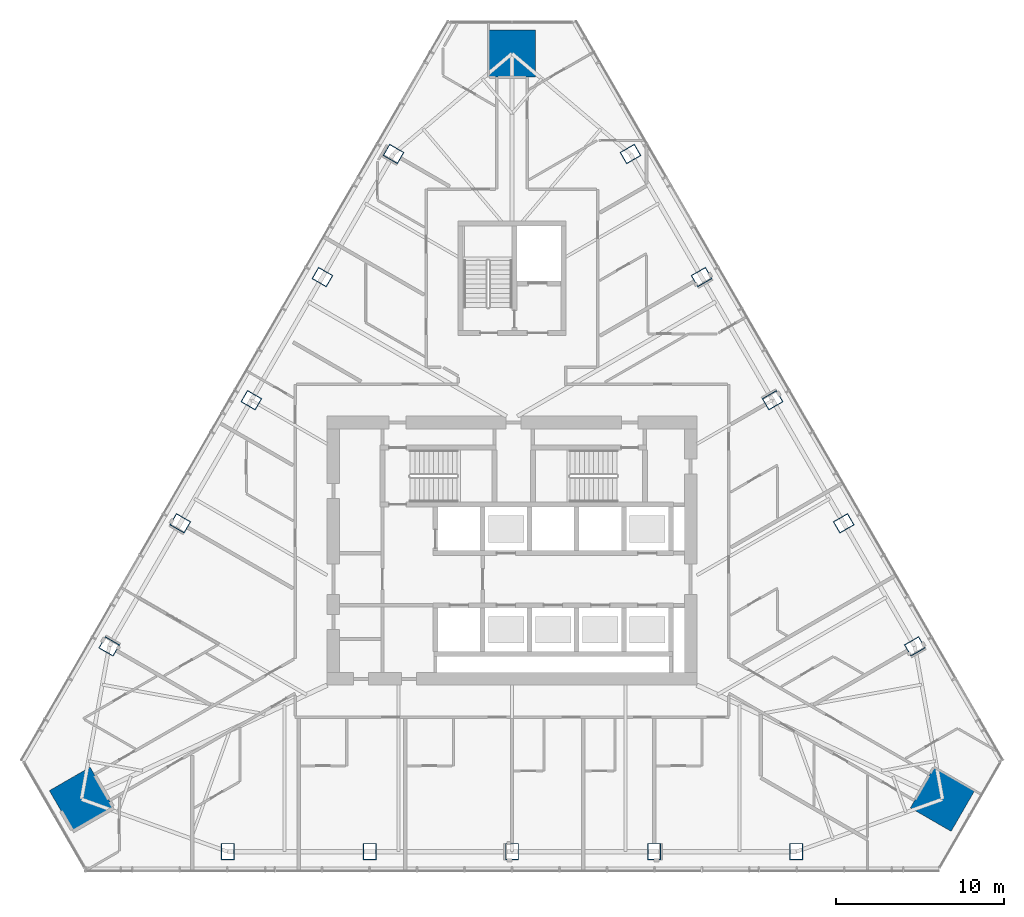
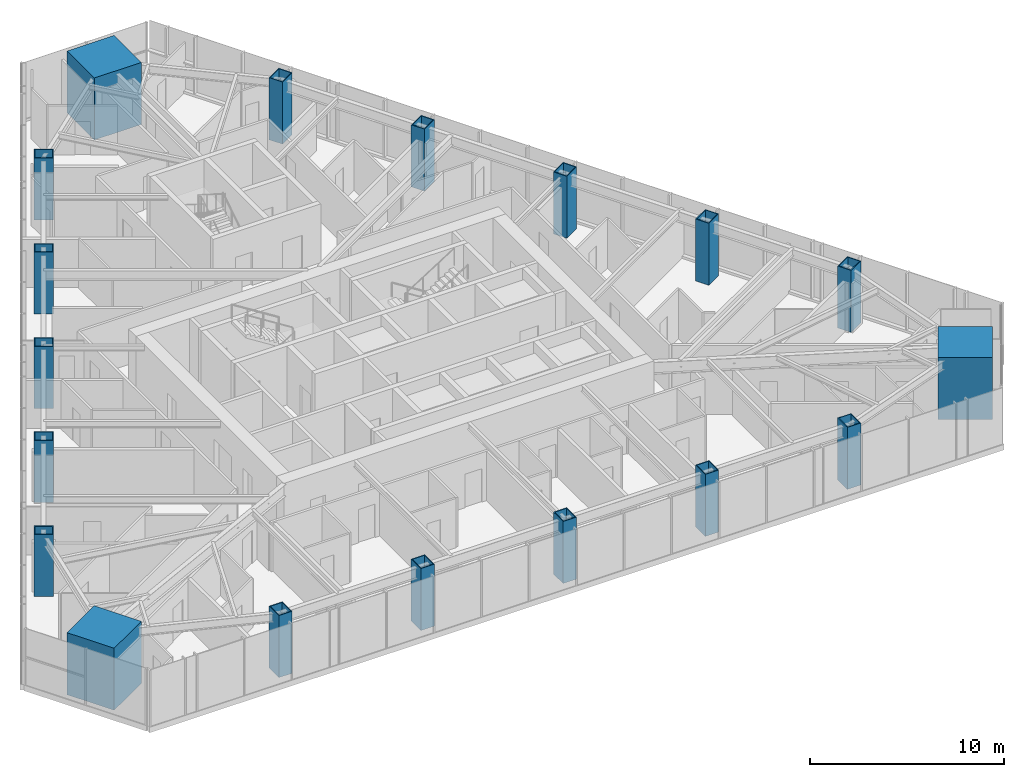
# One storey, part 1 of 20: 18 columns.
"""IFC4 building model written with IfcOpenShell, lengths in metres."""

from ifc_helpers import new_model, si_unit, direction, frame, origin, origin_2d, place, context, subcontext, project, spatial, rectangle, hollow_rectangle, extrude, material, material_profile, profile_set, type_object, element, save


model = new_model("IFC4")

# Units and contexts
model_context = context("Model", 3, precision=1e-05, world=origin(), true_north=direction((0.0, 1.0)))
body_context = subcontext(model_context, "Body", "Model", "MODEL_VIEW")
ifc_project = project(units=[si_unit("LENGTHUNIT", "METRE"), si_unit("AREAUNIT", "SQUARE_METRE"), si_unit("VOLUMEUNIT", "CUBIC_METRE"), si_unit("PLANEANGLEUNIT", "RADIAN"), si_unit("MASSUNIT", "GRAM", prefix="KILO")], contexts=[model_context])

# Site, building, storey
site_placement = place(None, origin())
site = spatial("IfcSite", under=ifc_project, at=site_placement, CompositionType="ELEMENT")
building_placement = place(site_placement, origin())
building = spatial("IfcBuilding", under=site, at=building_placement, Name="Firuza Gate Tower and Library", CompositionType="ELEMENT")
storey_placement = place(building_placement, frame((0.0, 0.0, 214.300048828125)))
storey = spatial("IfcBuildingStorey", under=building, at=storey_placement, Name="L50", CompositionType="ELEMENT", Elevation=214.300048828125)

# Columns
ifc_material_1 = material(Name="Steel S355", Category="steel")
ifc_material_profile_1 = material_profile(ifc_material_1, hollow_rectangle(XDim=0.800048828125, YDim=1.0, WallThickness=0.050048828125, at=origin_2d()))
ifc_profile_set_1 = profile_set([ifc_material_profile_1], Name="Steel S355")
column_type_1 = type_object("IfcColumnType", Name="BU1000x800x50 Composite box column", PredefinedType="COLUMN", material=ifc_profile_set_1)
for number, where, z_axis, x_axis, name in (
    (1, (58.088623046875, 57.097412109375, -0.00048828125), (0.0, 0.0, 1.0), (1.0, 0.0, 0.0), "Column S1 L50"),
    (2, (66.54443359375, 57.097412109375, -0.00048828125), (0.0, 0.0, 1.0), (1.0, 0.0, 0.0), "Column S2 L50"),
    (3, (75.0, 57.097412109375, -0.00048828125), (0.0, 0.0, 1.0), (1.0, 0.0, 0.0), "Column S3 L50"),
    (4, (83.45556640625, 57.097412109375, -0.00048828125), (0.0, 0.0, 1.0), (1.0, 0.0, 0.0), "Column S4 L50"),
    (5, (91.911376953125, 57.097412109375, -0.00048828125), (0.0, 0.0, 1.0), (1.0, 0.0, 0.0), "Column S5 L50"),
    (6, (98.959716796875, 69.3056640625, -0.00048828125), (0.0, 0.0, 1.0), (-0.5, 0.866025403784, 0.0), "Column E1 L50"),
    (7, (94.73193359375, 76.62841796875, -0.00048828125), (0.0, 0.0, 1.0), (-0.5, 0.866025403784, 0.0), "Column E2 L50"),
    (8, (90.504150390625, 83.951171875, -0.00048828125), (0.0, 0.0, 1.0), (-0.5, 0.866025403784, 0.0), "Column E3 L50"),
    (9, (86.276123046875, 91.274169921875, -0.00048828125), (0.0, 0.0, 1.0), (-0.5, 0.866025403784, 0.0), "Column E4 L50"),
    (10, (82.04833984375, 98.596923828125, -0.00048828125), (0.0, 0.0, 1.0), (-0.5, 0.866025403784, 0.0), "Column E5 L50"),
    (11, (67.95166015625, 98.596923828125, -0.00048828125), (0.0, 0.0, 1.0), (-0.5, -0.866025403784, 0.0), "Column W1 L50"),
    (12, (63.723876953125, 91.274169921875, -0.00048828125), (0.0, 0.0, 1.0), (-0.5, -0.866025403784, 0.0), "Column W2 L50"),
    (13, (59.495849609375, 83.951171875, -0.00048828125), (0.0, 0.0, 1.0), (-0.5, -0.866025403784, 0.0), "Column W3 L50"),
    (14, (55.26806640625, 76.62841796875, -0.00048828125), (0.0, 0.0, 1.0), (-0.5, -0.866025403784, 0.0), "Column W4 L50"),
    (15, (51.040283203125, 69.3056640625, -0.00048828125), (0.0, 0.0, 1.0), (-0.5, -0.866025403784, 0.0), "Column W5 L50"),
):
    element("IfcColumn", number, at=place(storey_placement, frame(where, z_axis=z_axis, x_axis=x_axis)), inside=storey, type_object=column_type_1, Name=name, PredefinedType="COLUMN", context=body_context, shape_type="SweptSolid", body=[
        extrude(hollow_rectangle(XDim=0.800048828125, YDim=1.0, WallThickness=0.050048828125, at=origin_2d()), origin(), (0.0, 0.0, 1.0), 3.900390625),
    ])
ifc_material_2 = material(Name="Concrete C80/95", Category="concrete")
ifc_material_profile_2 = material_profile(ifc_material_2, rectangle(XDim=2.800048828125, YDim=2.800048828125, at=origin_2d()))
ifc_profile_set_2 = profile_set([ifc_material_profile_2], Name="Concrete C80/95")
column_type_2 = type_object("IfcColumnType", Name="Mega column 2800x2800 C80/95", PredefinedType="COLUMN", material=ifc_profile_set_2)
for number, where, z_axis, x_axis, name in (
    (16, (100.608154296875, 60.215087890625, 0.0), (0.0, 0.0, 1.0), (0.5, 0.866025403784, 0.0), "Mega column SE L50"),
    (17, (75.0, 104.56982421875, 0.0), (0.0, 0.0, 1.0), (-1.0, 0.0, 0.0), "Mega column N L50"),
    (18, (49.391845703125, 60.215087890625, 0.0), (0.0, 0.0, 1.0), (0.5, -0.866025403784, 0.0), "Mega column SW L50"),
):
    element("IfcColumn", number, at=place(storey_placement, frame(where, z_axis=z_axis, x_axis=x_axis)), inside=storey, type_object=column_type_2, Name=name, PredefinedType="COLUMN", context=body_context, shape_type="SweptSolid", body=[
        extrude(rectangle(XDim=2.800048828125, YDim=2.800048828125, at=origin_2d()), origin(), (0.0, 0.0, 1.0), 3.89990234375),
    ])

save(model, "model.ifc")
